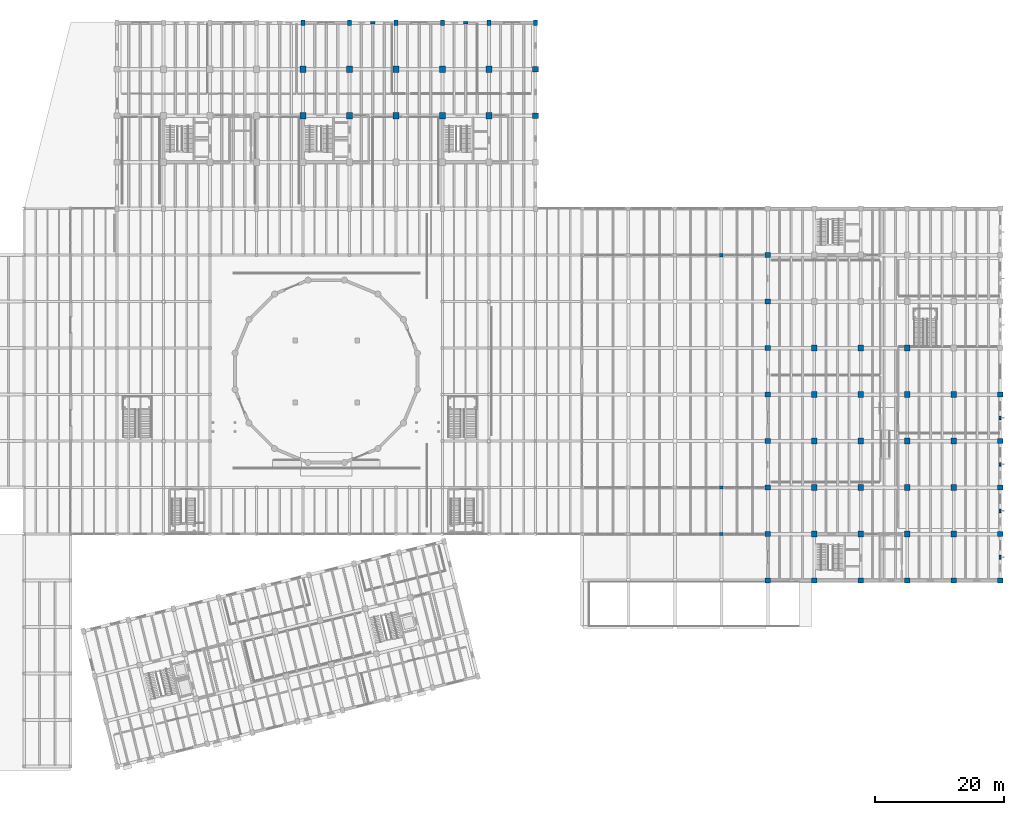
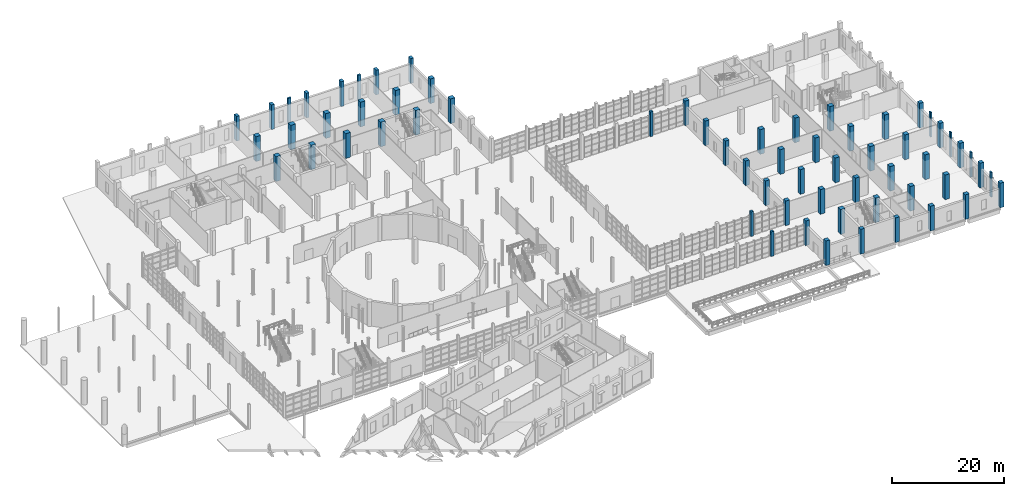
# One storey, part 14 of 79: 63 columns.
"""IFC4 building model written with IfcOpenShell, lengths in metres."""

from ifc_helpers import new_model, si_unit, direction, frame, origin, origin_2d, place, context, subcontext, project, spatial, rectangle, extrude, material, material_profile, profile_set, type_object, element, save


model = new_model("IFC4")

# Units and contexts
model_context = context("Model", 3, precision=1e-05, world=origin(), true_north=direction((0.0, 1.0)))
body_context = subcontext(model_context, "Body", "Model", "MODEL_VIEW")
ifc_project = project(units=[si_unit("LENGTHUNIT", "METRE"), si_unit("AREAUNIT", "SQUARE_METRE"), si_unit("VOLUMEUNIT", "CUBIC_METRE"), si_unit("PLANEANGLEUNIT", "RADIAN"), si_unit("MASSUNIT", "GRAM", prefix="KILO")], contexts=[model_context])

# Site, building, storey
site_placement = place(None, origin())
site = spatial("IfcSite", under=ifc_project, at=site_placement, CompositionType="ELEMENT")
building_placement = place(site_placement, origin())
building = spatial("IfcBuilding", under=site, at=building_placement, Name="Qiaolan Assembly House", CompositionType="ELEMENT")
storey_placement = place(building_placement, origin())
storey = spatial("IfcBuildingStorey", under=building, at=storey_placement, Name="L00", CompositionType="ELEMENT", Elevation=0.0)

# Columns
ifc_material_1 = material(Name="Concrete C45/55", Category="concrete")
ifc_material_profile_1 = material_profile(ifc_material_1, rectangle(XDim=0.800048828125, YDim=0.800048828125, at=origin_2d()), Name="RC 800x800")
ifc_profile_set_1 = profile_set([ifc_material_profile_1], Name="Concrete C45/55")
column_type_1 = type_object("IfcColumnType", Name="COL-RC-800", PredefinedType="COLUMN", material=ifc_profile_set_1)
for number, where, z_axis, x_axis, name in (
    (1, (136.800048828125, 28.800048828125, 0.0), (0.0, 0.0, 1.0), (1.0, 0.0, 0.0), "RC-05 library column L00"),
    (2, (136.800048828125, 36.0, 0.0), (0.0, 0.0, 1.0), (1.0, 0.0, 0.0), "RC-05 library column L00"),
    (3, (136.800048828125, 43.199951171875, 0.0), (0.0, 0.0, 1.0), (1.0, 0.0, 0.0), "RC-05 library column L00"),
    (4, (136.800048828125, 50.39990234375, 0.0), (0.0, 0.0, 1.0), (1.0, 0.0, 0.0), "RC-05 library column L00"),
    (5, (136.800048828125, 57.60009765625, 0.0), (0.0, 0.0, 1.0), (1.0, 0.0, 0.0), "RC-05 library column L00"),
    (6, (136.800048828125, 64.800048828125, 0.0), (0.0, 0.0, 1.0), (1.0, 0.0, 0.0), "RC-05 library column L00"),
    (7, (136.800048828125, 72.0, 0.0), (0.0, 0.0, 1.0), (1.0, 0.0, 0.0), "RC-05 library column L00"),
    (8, (136.800048828125, 79.199951171875, 0.0), (0.0, 0.0, 1.0), (1.0, 0.0, 0.0), "RC-05 library column L00"),
    (9, (144.0, 28.800048828125, 0.0), (0.0, 0.0, 1.0), (1.0, 0.0, 0.0), "RC-05 library column L00"),
    (10, (151.199951171875, 28.800048828125, 0.0), (0.0, 0.0, 1.0), (1.0, 0.0, 0.0), "RC-05 library column L00"),
    (11, (158.39990234375, 28.800048828125, 0.0), (0.0, 0.0, 1.0), (1.0, 0.0, 0.0), "RC-05 library column L00"),
    (12, (165.60009765625, 28.800048828125, 0.0), (0.0, 0.0, 1.0), (1.0, 0.0, 0.0), "RC-05 library column L00"),
    (13, (172.800048828125, 28.800048828125, 0.0), (0.0, 0.0, 1.0), (1.0, 0.0, 0.0), "RC-05 library column L00"),
    (14, (172.800048828125, 36.0, 0.0), (0.0, 0.0, 1.0), (1.0, 0.0, 0.0), "RC-05 library column L00"),
    (15, (172.800048828125, 43.199951171875, 0.0), (0.0, 0.0, 1.0), (1.0, 0.0, 0.0), "RC-05 library column L00"),
    (16, (172.800048828125, 50.39990234375, 0.0), (0.0, 0.0, 1.0), (1.0, 0.0, 0.0), "RC-05 library column L00"),
    (17, (172.800048828125, 57.60009765625, 0.0), (0.0, 0.0, 1.0), (1.0, 0.0, 0.0), "RC-05 library column L00"),
):
    element("IfcColumn", number, at=place(storey_placement, frame(where, z_axis=z_axis, x_axis=x_axis)), inside=storey, type_object=column_type_1, Name=name, PredefinedType="COLUMN", context=body_context, shape_type="SweptSolid", body=[
        extrude(rectangle(XDim=0.800048828125, YDim=0.800048828125, at=origin_2d()), origin(), (0.0, 0.0, 1.0), 5.39990234375),
    ])
ifc_material_2 = material(Name="Concrete C50/60", Category="concrete")
ifc_material_profile_2 = material_profile(ifc_material_2, rectangle(XDim=0.60009765625, YDim=0.85009765625, at=origin_2d()), Name="RC 850x600")
ifc_profile_set_2 = profile_set([ifc_material_profile_2], Name="Concrete C50/60")
column_type_2 = type_object("IfcColumnType", Name="COL-RC-850x600", PredefinedType="COLUMN", material=ifc_profile_set_2)
for number, where, z_axis, x_axis, name in (
    (18, (64.800048828125, 115.199951171875, 0.0), (0.0, 0.0, 1.0), (1.0, 0.0, 0.0), "RC-13 column NW L00"),
    (19, (72.0, 115.199951171875, 0.0), (0.0, 0.0, 1.0), (1.0, 0.0, 0.0), "RC-13 column NW L00"),
    (20, (79.199951171875, 115.199951171875, 0.0), (0.0, 0.0, 1.0), (1.0, 0.0, 0.0), "RC-13 column NW L00"),
    (21, (86.39990234375, 115.199951171875, 0.0), (0.0, 0.0, 1.0), (1.0, 0.0, 0.0), "RC-13 column NW L00"),
    (22, (93.60009765625, 115.199951171875, 0.0), (0.0, 0.0, 1.0), (1.0, 0.0, 0.0), "RC-13 column NW L00"),
    (23, (100.800048828125, 115.199951171875, 0.0), (0.0, 0.0, 1.0), (1.0, 0.0, 0.0), "RC-13 column NW L00"),
):
    element("IfcColumn", number, at=place(storey_placement, frame(where, z_axis=z_axis, x_axis=x_axis)), inside=storey, type_object=column_type_2, Name=name, PredefinedType="COLUMN", context=body_context, shape_type="SweptSolid", body=[
        extrude(rectangle(XDim=0.60009765625, YDim=0.85009765625, at=origin_2d()), origin(), (0.0, 0.0, 1.0), 5.39990234375),
    ])
ifc_material_profile_3 = material_profile(ifc_material_2, rectangle(XDim=0.89990234375, YDim=0.89990234375, at=origin_2d()), Name="RC 900x900")
ifc_profile_set_3 = profile_set([ifc_material_profile_3], Name="Concrete C50/60")
column_type_3 = type_object("IfcColumnType", Name="COL-RC-900", PredefinedType="COLUMN", material=ifc_profile_set_3)
for number, where, z_axis, x_axis, name in (
    (24, (100.800048828125, 100.800048828125, 0.0), (0.0, 0.0, 1.0), (1.0, 0.0, 0.0), "RC-03 column NW L00"),
    (25, (100.800048828125, 108.0, 0.0), (0.0, 0.0, 1.0), (1.0, 0.0, 0.0), "RC-03 column NW L00"),
    (26, (144.0, 36.0, 0.0), (0.0, 0.0, 1.0), (1.0, 0.0, 0.0), "RC-03 library column L00"),
    (27, (144.0, 43.199951171875, 0.0), (0.0, 0.0, 1.0), (1.0, 0.0, 0.0), "RC-03 library column L00"),
    (28, (144.0, 50.39990234375, 0.0), (0.0, 0.0, 1.0), (1.0, 0.0, 0.0), "RC-03 library column L00"),
    (29, (144.0, 57.60009765625, 0.0), (0.0, 0.0, 1.0), (1.0, 0.0, 0.0), "RC-03 library column L00"),
    (30, (144.0, 64.800048828125, 0.0), (0.0, 0.0, 1.0), (1.0, 0.0, 0.0), "RC-03 library column L00"),
    (31, (151.199951171875, 36.0, 0.0), (0.0, 0.0, 1.0), (1.0, 0.0, 0.0), "RC-03 library column L00"),
    (32, (151.199951171875, 43.199951171875, 0.0), (0.0, 0.0, 1.0), (1.0, 0.0, 0.0), "RC-03 library column L00"),
    (33, (151.199951171875, 50.39990234375, 0.0), (0.0, 0.0, 1.0), (1.0, 0.0, 0.0), "RC-03 library column L00"),
    (34, (151.199951171875, 57.60009765625, 0.0), (0.0, 0.0, 1.0), (1.0, 0.0, 0.0), "RC-03 library column L00"),
    (35, (151.199951171875, 64.800048828125, 0.0), (0.0, 0.0, 1.0), (1.0, 0.0, 0.0), "RC-03 library column L00"),
    (36, (158.39990234375, 36.0, 0.0), (0.0, 0.0, 1.0), (1.0, 0.0, 0.0), "RC-03 library column L00"),
    (37, (158.39990234375, 43.199951171875, 0.0), (0.0, 0.0, 1.0), (1.0, 0.0, 0.0), "RC-03 library column L00"),
    (38, (158.39990234375, 50.39990234375, 0.0), (0.0, 0.0, 1.0), (1.0, 0.0, 0.0), "RC-03 library column L00"),
    (39, (158.39990234375, 57.60009765625, 0.0), (0.0, 0.0, 1.0), (1.0, 0.0, 0.0), "RC-03 library column L00"),
    (40, (158.39990234375, 64.800048828125, 0.0), (0.0, 0.0, 1.0), (1.0, 0.0, 0.0), "RC-03 library column L00"),
    (41, (165.60009765625, 36.0, 0.0), (0.0, 0.0, 1.0), (1.0, 0.0, 0.0), "RC-03 library column L00"),
    (42, (165.60009765625, 43.199951171875, 0.0), (0.0, 0.0, 1.0), (1.0, 0.0, 0.0), "RC-03 library column L00"),
    (43, (165.60009765625, 50.39990234375, 0.0), (0.0, 0.0, 1.0), (1.0, 0.0, 0.0), "RC-03 library column L00"),
    (44, (165.60009765625, 57.60009765625, 0.0), (0.0, 0.0, 1.0), (1.0, 0.0, 0.0), "RC-03 library column L00"),
):
    element("IfcColumn", number, at=place(storey_placement, frame(where, z_axis=z_axis, x_axis=x_axis)), inside=storey, type_object=column_type_3, Name=name, PredefinedType="COLUMN", context=body_context, shape_type="SweptSolid", body=[
        extrude(rectangle(XDim=0.89990234375, YDim=0.89990234375, at=origin_2d()), origin(), (0.0, 0.0, 1.0), 5.39990234375),
    ])
ifc_material_profile_4 = material_profile(ifc_material_2, rectangle(XDim=0.949951171875, YDim=0.949951171875, at=origin_2d()), Name="RC 950x950")
ifc_profile_set_4 = profile_set([ifc_material_profile_4], Name="Concrete C50/60")
column_type_4 = type_object("IfcColumnType", Name="COL-RC-950", PredefinedType="COLUMN", material=ifc_profile_set_4)
for number, where, z_axis, x_axis, name in (
    (45, (64.800048828125, 100.800048828125, 0.0), (0.0, 0.0, 1.0), (1.0, 0.0, 0.0), "RC-02 column NW L00"),
    (46, (64.800048828125, 108.0, 0.0), (0.0, 0.0, 1.0), (1.0, 0.0, 0.0), "RC-02 column NW L00"),
    (47, (72.0, 100.800048828125, 0.0), (0.0, 0.0, 1.0), (1.0, 0.0, 0.0), "RC-02 column NW L00"),
    (48, (72.0, 108.0, 0.0), (0.0, 0.0, 1.0), (1.0, 0.0, 0.0), "RC-02 column NW L00"),
    (49, (79.199951171875, 100.800048828125, 0.0), (0.0, 0.0, 1.0), (1.0, 0.0, 0.0), "RC-02 column NW L00"),
    (50, (79.199951171875, 108.0, 0.0), (0.0, 0.0, 1.0), (1.0, 0.0, 0.0), "RC-02 column NW L00"),
    (51, (86.39990234375, 100.800048828125, 0.0), (0.0, 0.0, 1.0), (1.0, 0.0, 0.0), "RC-02 column NW L00"),
    (52, (86.39990234375, 108.0, 0.0), (0.0, 0.0, 1.0), (1.0, 0.0, 0.0), "RC-02 column NW L00"),
    (53, (93.60009765625, 100.800048828125, 0.0), (0.0, 0.0, 1.0), (1.0, 0.0, 0.0), "RC-02 column NW L00"),
    (54, (93.60009765625, 108.0, 0.0), (0.0, 0.0, 1.0), (1.0, 0.0, 0.0), "RC-02 column NW L00"),
):
    element("IfcColumn", number, at=place(storey_placement, frame(where, z_axis=z_axis, x_axis=x_axis)), inside=storey, type_object=column_type_4, Name=name, PredefinedType="COLUMN", context=body_context, shape_type="SweptSolid", body=[
        extrude(rectangle(XDim=0.949951171875, YDim=0.949951171875, at=origin_2d()), origin(), (0.0, 0.0, 1.0), 5.39990234375),
    ])
ifc_material_3 = material(Name="Precast concrete C45/55", Category="concrete")
ifc_material_profile_5 = material_profile(ifc_material_3, rectangle(XDim=0.52001953125, YDim=0.52001953125, at=origin_2d()), Name="PIL 520x520")
ifc_profile_set_5 = profile_set([ifc_material_profile_5], Name="Precast concrete C45/55")
column_type_5 = type_object("IfcColumnType", Name="PIL-CLOISTER-520", PredefinedType="PILASTER", material=ifc_profile_set_5)
for number, where, z_axis, x_axis, name in (
    (55, (129.60009765625, 36.0, 0.0), (0.0, 0.0, 1.0), (1.0, 0.0, 0.0), "PL-06 cloister pier L00"),
    (56, (129.60009765625, 43.199951171875, 0.0), (0.0, 0.0, 1.0), (1.0, 0.0, 0.0), "PL-06 cloister pier L00"),
    (57, (129.60009765625, 79.199951171875, 0.0), (0.0, 0.0, 1.0), (1.0, 0.0, 0.0), "PL-06 cloister pier L00"),
):
    element("IfcColumn", number, at=place(storey_placement, frame(where, z_axis=z_axis, x_axis=x_axis)), inside=storey, type_object=column_type_5, Name=name, PredefinedType="PILASTER", context=body_context, shape_type="SweptSolid", body=[
        extrude(rectangle(XDim=0.52001953125, YDim=0.52001953125, at=origin_2d()), origin(), (0.0, 0.0, 1.0), 5.39990234375),
    ])
ifc_material_profile_6 = material_profile(ifc_material_3, rectangle(XDim=0.550048828125, YDim=0.300048828125, at=origin_2d()), Name="PIL 550x300")
ifc_profile_set_6 = profile_set([ifc_material_profile_6], Name="Precast concrete C45/55")
column_type_6 = type_object("IfcColumnType", Name="PIL-LIB-550x300", PredefinedType="PILASTER", material=ifc_profile_set_6)
for number, where, z_axis, x_axis, name in (
    (58, (172.800048828125, 32.39990234375, 0.0), (0.0, 0.0, 1.0), (0.0, 1.0, 0.0), "PL-04 library pilaster L00"),
    (59, (172.800048828125, 39.60009765625, 0.0), (0.0, 0.0, 1.0), (0.0, 1.0, 0.0), "PL-04 library pilaster L00"),
    (60, (172.800048828125, 46.800048828125, 0.0), (0.0, 0.0, 1.0), (0.0, 1.0, 0.0), "PL-04 library pilaster L00"),
    (61, (172.800048828125, 54.0, 0.0), (0.0, 0.0, 1.0), (0.0, 1.0, 0.0), "PL-04 library pilaster L00"),
):
    element("IfcColumn", number, at=place(storey_placement, frame(where, z_axis=z_axis, x_axis=x_axis)), inside=storey, type_object=column_type_6, Name=name, PredefinedType="PILASTER", context=body_context, shape_type="SweptSolid", body=[
        extrude(rectangle(XDim=0.550048828125, YDim=0.300048828125, at=origin_2d()), origin(), (0.0, 0.0, 1.0), 5.39990234375),
    ])
ifc_material_profile_7 = material_profile(ifc_material_3, rectangle(XDim=0.64990234375, YDim=0.35009765625, at=origin_2d()), Name="PIL 650x350")
ifc_profile_set_7 = profile_set([ifc_material_profile_7], Name="Precast concrete C45/55")
column_type_7 = type_object("IfcColumnType", Name="PIL-NW-650x350", PredefinedType="PILASTER", material=ifc_profile_set_7)
for number, where, z_axis, x_axis, name in (
    (62, (75.60009765625, 115.199951171875, 0.0), (0.0, 0.0, 1.0), (1.0, 0.0, 0.0), "PL-02 neoclassical pilaster NW L00"),
    (63, (90.0, 115.199951171875, 0.0), (0.0, 0.0, 1.0), (1.0, 0.0, 0.0), "PL-02 neoclassical pilaster NW L00"),
):
    element("IfcColumn", number, at=place(storey_placement, frame(where, z_axis=z_axis, x_axis=x_axis)), inside=storey, type_object=column_type_7, Name=name, PredefinedType="PILASTER", context=body_context, shape_type="SweptSolid", body=[
        extrude(rectangle(XDim=0.64990234375, YDim=0.35009765625, at=origin_2d()), origin(), (0.0, 0.0, 1.0), 5.39990234375),
    ])

save(model, "model.ifc")
